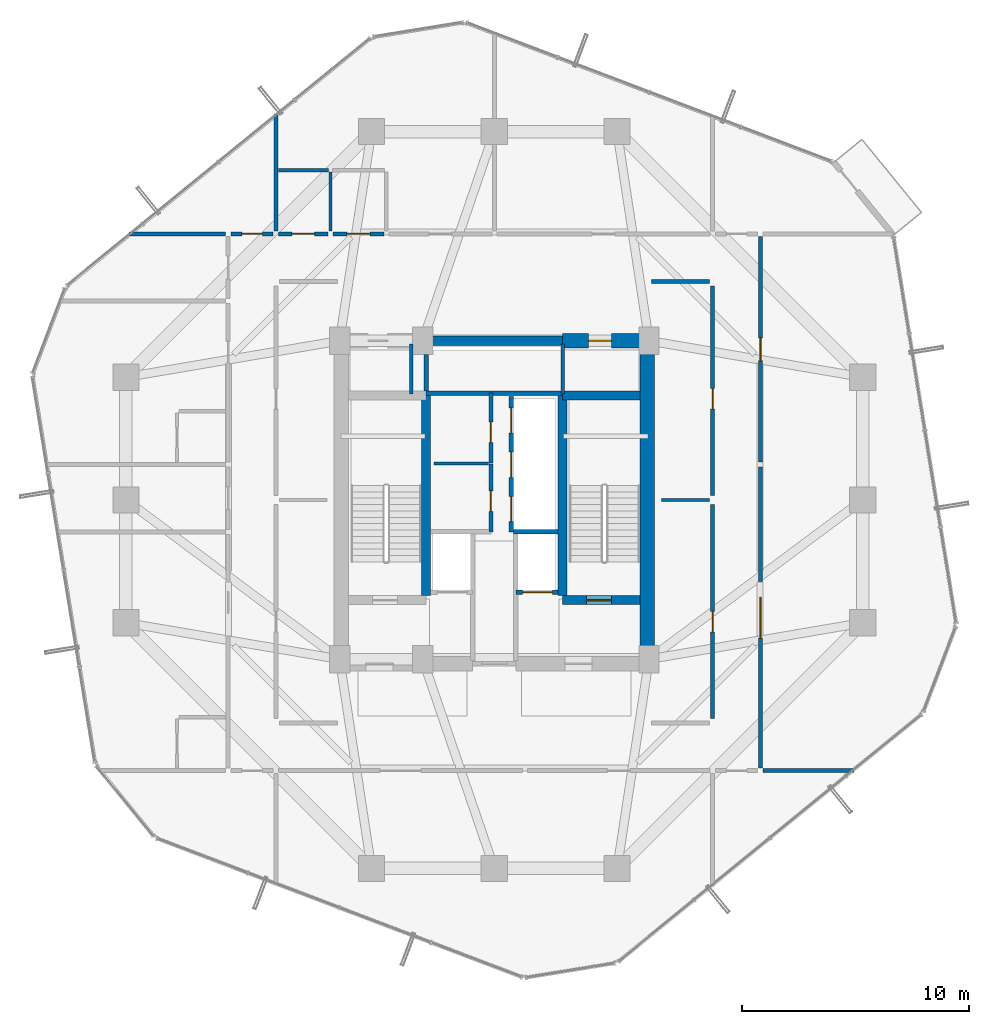
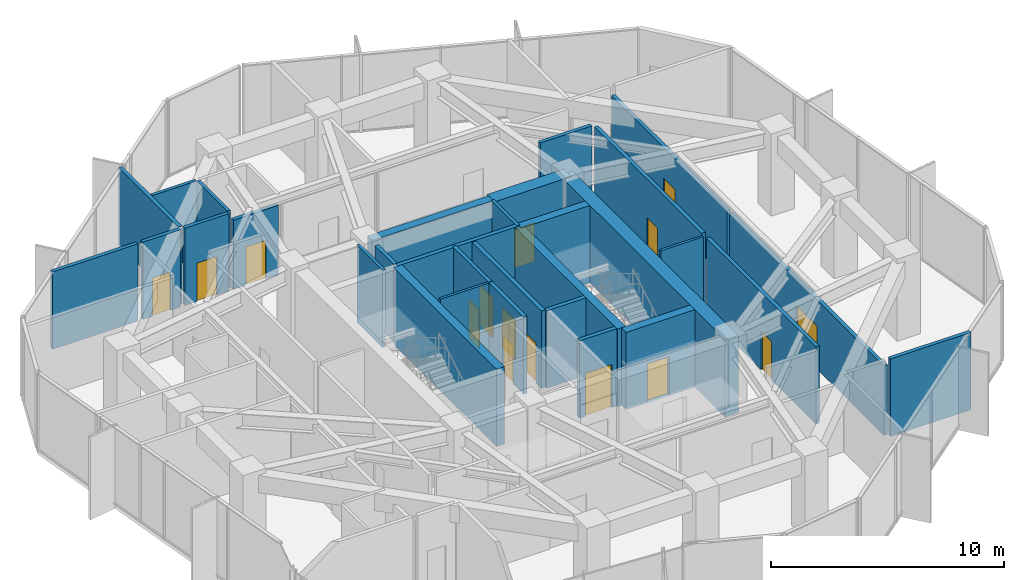
# One storey, part 23 of 26: 31 walls, 15 doors, 15 openings.
"""IFC4 building model written with IfcOpenShell, lengths in metres."""

from ifc_helpers import new_model, si_unit, direction, frame, frame_2d, origin, place, context, subcontext, project, spatial, rectangle, extrude, source, transform, mapped, material, layer, layer_set, type_object, element, fill, save


model = new_model("IFC4")

# Units and contexts
model_context = context("Model", 3, precision=1e-05, world=origin(), true_north=direction((0.0, 1.0)))
body_context = subcontext(model_context, "Body", "Model", "MODEL_VIEW")
ifc_project = project(units=[si_unit("LENGTHUNIT", "METRE"), si_unit("AREAUNIT", "SQUARE_METRE"), si_unit("VOLUMEUNIT", "CUBIC_METRE"), si_unit("PLANEANGLEUNIT", "RADIAN"), si_unit("MASSUNIT", "GRAM", prefix="KILO")], contexts=[model_context])

# Site, building, storey
site_placement = place(None, origin())
site = spatial("IfcSite", under=ifc_project, at=site_placement, CompositionType="ELEMENT")
building_placement = place(site_placement, origin())
building = spatial("IfcBuilding", under=site, at=building_placement, Name="Veraguas Prism Commons", CompositionType="ELEMENT")
storey_placement = place(building_placement, frame((0.0, 0.0, 158.75)))
storey = spatial("IfcBuildingStorey", under=building, at=storey_placement, Name="L45", CompositionType="ELEMENT", Elevation=158.75)

# Wall
ifc_material_1 = material(Name="Concrete C50/60", Category="concrete")
ifc_layer_1 = layer(ifc_material_1, 0.39990234375, Name="Clinic and Mid Core Shear Wall RC 400", Category="concrete")
ifc_layer_set_1 = layer_set([ifc_layer_1], Name="Concrete C50/60")
wall_type_1 = type_object("IfcWallType", Name="Clinic and Mid Core Shear Wall RC 400", PredefinedType="SHEAR", material=ifc_layer_set_1)
wall_1_placement = place(storey_placement, frame((21.0, 31.0, 0.0), z_axis=(0.0, 0.0, 1.0), x_axis=(1.0, 0.0, 0.0)))
element("IfcWall", 1, at=wall_1_placement, inside=storey, type_object=wall_type_1, Name="High-Rise Lift Bank Front Shear Wall L45", PredefinedType="SHEAR", context=body_context, shape_type="SweptSolid", body=[
    extrude(rectangle(XDim=6.0, YDim=0.39990234375, at=frame_2d((3.0, 0.0))), origin(), (0.0, 0.0, 1.0), 4.050048828125),
])

# Wall, opening, door
wall_2_placement = place(storey_placement, frame((27.0, 19.60009765625, 0.0), z_axis=(0.0, 0.0, 1.0), x_axis=(1.0, 0.0, 0.0)))
wall_2 = element("IfcWall", 2, at=wall_2_placement, inside=storey, type_object=wall_type_1, Name="Stair ST-02 South Shear Wall L45", PredefinedType="SHEAR", context=body_context, shape_type="SweptSolid", body=[
    extrude(rectangle(XDim=3.39990234375, YDim=0.39990234375, at=frame_2d((1.699951171875, 0.0))), origin(), (0.0, 0.0, 1.0), 4.050048828125),
])
opening_1_placement = place(wall_2_placement, frame((1.050048828125, 0.0, 0.0)))
opening_1 = element("IfcOpeningElement", 3, at=opening_1_placement, cuts=wall_2, Name="Opening DR-05", PredefinedType="OPENING", context=body_context, shape_type="SweptSolid", body=[
    extrude(rectangle(XDim=1.10009765625, YDim=2.030029296875, at=frame_2d((0.550048828125, 1.01513671875))), frame((0.0, 0.2099609375, 0.0), z_axis=(0.0, -1.0, 0.0), x_axis=(1.0, 0.0, 0.0)), (0.0, 0.0, 1.0), 0.419921875),
])
ifc_material_2 = material(Name="Steel fire-rated door assembly", Category="steel")
door_type_1 = type_object("IfcDoorType", Name="Protected Stair and Refuge Fire Door 1100x2030", OperationType="NOTDEFINED", PredefinedType="DOOR", material=ifc_material_2)
shared_shape_1 = source(origin(), body_context, "Body", "SweptSolid", [
    extrude(rectangle(XDim=1.10009765625, YDim=2.030029296875, at=frame_2d((0.550048828125, 1.01513671875))), frame((0.0, 0.02490234375, 0.0), z_axis=(0.0, -1.0, 0.0), x_axis=(1.0, 0.0, 0.0)), (0.0, 0.0, 1.0), 0.050048828125),
])
door_1_placement = place(opening_1_placement, origin())
door_1 = element("IfcDoor", 4, at=door_1_placement, inside=storey, type_object=door_type_1, Name="Stair ST-02 Enclosure Door L45", OperationType="SINGLE_SWING_LEFT", OverallHeight=2.030029296875, OverallWidth=1.10009765625, PredefinedType="DOOR", context=body_context, shape_type="MappedRepresentation", body=[
    mapped(shared_shape_1, transform((0.0, 0.0, 0.0), scale=1.0)),
])
fill(opening_1, door_1)

# Walls
for number, where, z_axis, x_axis, name in (
    (5, (21.0, 19.800048828125, 0.0), (0.0, 0.0, 1.0), (0.0, 1.0, 0.0), "Stair ST-01 Inner Shear Wall L45"),
    (6, (27.0, 19.800048828125, 0.0), (0.0, 0.0, 1.0), (0.0, 1.0, 0.0), "Stair ST-02 Inner Shear Wall L45"),
):
    element("IfcWall", number, at=place(storey_placement, frame(where, z_axis=z_axis, x_axis=x_axis)), inside=storey, type_object=wall_type_1, Name=name, PredefinedType="SHEAR", context=body_context, shape_type="SweptSolid", body=[
        extrude(rectangle(XDim=8.800048828125, YDim=0.39990234375, at=frame_2d((4.39990234375, 0.0))), origin(), (0.0, 0.0, 1.0), 4.050048828125),
    ])
wall_3_placement = place(storey_placement, frame((27.0, 28.60009765625, 0.0), z_axis=(0.0, 0.0, 1.0), x_axis=(1.0, 0.0, 0.0)))
element("IfcWall", 7, at=wall_3_placement, inside=storey, type_object=wall_type_1, Name="Stair ST-02 North Shear Wall L45", PredefinedType="SHEAR", context=body_context, shape_type="SweptSolid", body=[
    extrude(rectangle(XDim=3.39990234375, YDim=0.39990234375, at=frame_2d((1.699951171875, 0.0))), origin(), (0.0, 0.0, 1.0), 4.050048828125),
])
ifc_material_3 = material(Name="Concrete C55/67", Category="concrete")
ifc_layer_2 = layer(ifc_material_3, 0.64990234375, Name="Core Outer Shear Wall Mid RC 650", Category="concrete")
ifc_layer_set_2 = layer_set([ifc_layer_2], Name="Concrete C55/67")
wall_type_2 = type_object("IfcWallType", Name="Core Outer Shear Wall Mid RC 650", PredefinedType="SHEAR", material=ifc_layer_set_2)
wall_4_placement = place(storey_placement, frame((30.72509765625, 16.800048828125, 0.0), z_axis=(0.0, 0.0, 1.0), x_axis=(0.0, 1.0, 0.0)))
element("IfcWall", 8, at=wall_4_placement, inside=storey, type_object=wall_type_2, Name="Central Core East Shear Wall L45", PredefinedType="SHEAR", context=body_context, shape_type="SweptSolid", body=[
    extrude(rectangle(XDim=14.199951171875, YDim=0.64990234375, at=frame_2d((7.10009765625, 0.0))), origin(), (0.0, 0.0, 1.0), 4.050048828125),
])

# Wall, opening, door
wall_5_placement = place(storey_placement, frame((27.0, 31.0, 0.0), z_axis=(0.0, 0.0, 1.0), x_axis=(1.0, 0.0, 0.0)))
wall_5 = element("IfcWall", 9, at=wall_5_placement, inside=storey, type_object=wall_type_2, Name="Central Core North-East Shear Wall L45", PredefinedType="SHEAR", context=body_context, shape_type="SweptSolid", body=[
    extrude(rectangle(XDim=3.800048828125, YDim=0.64990234375, at=frame_2d((1.89990234375, 0.0))), origin(), (0.0, 0.0, 1.0), 4.050048828125),
])
opening_2_placement = place(wall_5_placement, frame((1.14990234375, 0.0, 0.0)))
opening_2 = element("IfcOpeningElement", 10, at=opening_2_placement, cuts=wall_5, Name="Opening DR-13", PredefinedType="OPENING", context=body_context, shape_type="SweptSolid", body=[
    extrude(rectangle(XDim=1.0, YDim=2.010009765625, at=frame_2d((0.5, 1.0048828125))), frame((0.0, 0.3349609375, 0.0), z_axis=(0.0, -1.0, 0.0), x_axis=(1.0, 0.0, 0.0)), (0.0, 0.0, 1.0), 0.669921875),
])
door_type_2 = type_object("IfcDoorType", Name="Core Accessible WC and Clinic Fire Door 1000x2010", OperationType="NOTDEFINED", PredefinedType="DOOR", material=ifc_material_2)
shared_shape_2 = source(origin(), body_context, "Body", "SweptSolid", [
    extrude(rectangle(XDim=1.0, YDim=2.010009765625, at=frame_2d((0.5, 1.0048828125))), frame((0.0, 0.02490234375, 0.0), z_axis=(0.0, -1.0, 0.0), x_axis=(1.0, 0.0, 0.0)), (0.0, 0.0, 1.0), 0.050048828125),
])
door_2_placement = place(opening_2_placement, origin())
door_2 = element("IfcDoor", 11, at=door_2_placement, inside=storey, type_object=door_type_2, Name="Core NE Pantry Door L45", OperationType="SINGLE_SWING_LEFT", OverallHeight=2.010009765625, OverallWidth=1.0, PredefinedType="DOOR", context=body_context, shape_type="MappedRepresentation", body=[
    mapped(shared_shape_2, transform((0.0, 0.0, 0.0), scale=1.0)),
])
fill(opening_2, door_2)

ifc_material_4 = material(Name="Autoclaved aerated masonry block 10 MPa", Category="masonry")
ifc_layer_3 = layer(ifc_material_4, 0.179931640625, Name="Corridor and Inter-Tenancy Partition 180", Category="masonry")
ifc_layer_set_3 = layer_set([ifc_layer_3], Name="Autoclaved aerated masonry block 10 MPa")
wall_type_3 = type_object("IfcWallType", Name="Corridor and Inter-Tenancy Partition 180", PredefinedType="PARTITIONING", material=ifc_layer_set_3)
wall_6_placement = place(storey_placement, frame((23.85009765625, 22.60009765625, 0.0), z_axis=(0.0, 0.0, 1.0), x_axis=(0.0, 1.0, 0.0)))
wall_6 = element("IfcWall", 12, at=wall_6_placement, inside=storey, type_object=wall_type_3, Name="Co-op Pantry Partition L45", PredefinedType="PARTITIONING", context=body_context, shape_type="SweptSolid", body=[
    extrude(rectangle(XDim=2.97998046875, YDim=0.179931640625, at=frame_2d((1.489990234375, 0.0))), origin(), (0.0, 0.0, 1.0), 4.050048828125),
])
opening_3_placement = place(wall_6_placement, frame((0.89990234375, 0.0, 0.0)))
opening_3 = element("IfcOpeningElement", 13, at=opening_3_placement, cuts=wall_6, Name="Opening DR-14", PredefinedType="OPENING", context=body_context, shape_type="SweptSolid", body=[
    extrude(rectangle(XDim=0.89990234375, YDim=2.010009765625, at=frame_2d((0.449951171875, 1.0048828125))), frame((0.0, 0.099853515625, 0.0), z_axis=(0.0, -1.0, 0.0), x_axis=(1.0, 0.0, 0.0)), (0.0, 0.0, 1.0), 0.199951171875),
])
door_type_3 = type_object("IfcDoorType", Name="Core Service Room Fire Door 900x2010", OperationType="NOTDEFINED", PredefinedType="DOOR", material=ifc_material_2)
shared_shape_3 = source(origin(), body_context, "Body", "SweptSolid", [
    extrude(rectangle(XDim=0.89990234375, YDim=2.010009765625, at=frame_2d((0.449951171875, 1.0048828125))), frame((0.0, 0.02490234375, 0.0), z_axis=(0.0, -1.0, 0.0), x_axis=(1.0, 0.0, 0.0)), (0.0, 0.0, 1.0), 0.050048828125),
])
door_3_placement = place(opening_3_placement, origin())
door_3 = element("IfcDoor", 14, at=door_3_placement, inside=storey, type_object=door_type_3, Name="Co-op Pantry Door L45", OperationType="SINGLE_SWING_RIGHT", OverallHeight=2.010009765625, OverallWidth=0.89990234375, PredefinedType="DOOR", context=body_context, shape_type="MappedRepresentation", body=[
    mapped(shared_shape_3, transform((0.0, 0.0, 0.0), scale=1.0)),
])
fill(opening_3, door_3)

wall_7_placement = place(storey_placement, frame((23.85009765625, 25.6201171875, 0.0), z_axis=(0.0, 0.0, 1.0), x_axis=(0.0, 1.0, 0.0)))
wall_7 = element("IfcWall", 15, at=wall_7_placement, inside=storey, type_object=wall_type_3, Name="Bookshop Alcove Partition L45", PredefinedType="PARTITIONING", context=body_context, shape_type="SweptSolid", body=[
    extrude(rectangle(XDim=3.079833984375, YDim=0.179931640625, at=frame_2d((1.5400390625, 0.0))), origin(), (0.0, 0.0, 1.0), 4.050048828125),
])
opening_4_placement = place(wall_7_placement, frame((0.89990234375, 0.0, 0.0)))
opening_4 = element("IfcOpeningElement", 16, at=opening_4_placement, cuts=wall_7, Name="Opening DR-14", PredefinedType="OPENING", context=body_context, shape_type="SweptSolid", body=[
    extrude(rectangle(XDim=0.89990234375, YDim=2.010009765625, at=frame_2d((0.449951171875, 1.0048828125))), frame((0.0, 0.099853515625, 0.0), z_axis=(0.0, -1.0, 0.0), x_axis=(1.0, 0.0, 0.0)), (0.0, 0.0, 1.0), 0.199951171875),
])
door_4_placement = place(opening_4_placement, origin())
door_4 = element("IfcDoor", 17, at=door_4_placement, inside=storey, type_object=door_type_3, Name="Bookshop Alcove Door L45", OperationType="SINGLE_SWING_LEFT", OverallHeight=2.010009765625, OverallWidth=0.89990234375, PredefinedType="DOOR", context=body_context, shape_type="MappedRepresentation", body=[
    mapped(shared_shape_3, transform((0.0, 0.0, 0.0), scale=1.0)),
])
fill(opening_4, door_4)

wall_8_placement = place(storey_placement, frame((33.60009765625, 14.39990234375, 0.0), z_axis=(0.0, 0.0, 1.0), x_axis=(0.0, 1.0, 0.0)))
wall_8 = element("IfcWall", 18, at=wall_8_placement, inside=storey, type_object=wall_type_3, Name="WL-L45-IRE1", PredefinedType="PARTITIONING", context=body_context, shape_type="SweptSolid", body=[
    extrude(rectangle(XDim=9.400146484375, YDim=0.179931640625, at=frame_2d((4.7001953125, 0.0))), origin(), (0.0, 0.0, 1.0), 4.050048828125),
])
opening_5_placement = place(wall_8_placement, frame((3.800048828125, 0.0, 0.0)))
opening_5 = element("IfcOpeningElement", 19, at=opening_5_placement, cuts=wall_8, Name="Opening DR-14", PredefinedType="OPENING", context=body_context, shape_type="SweptSolid", body=[
    extrude(rectangle(XDim=0.89990234375, YDim=2.010009765625, at=frame_2d((0.449951171875, 1.0048828125))), frame((0.0, 0.099853515625, 0.0), z_axis=(0.0, -1.0, 0.0), x_axis=(1.0, 0.0, 0.0)), (0.0, 0.0, 1.0), 0.199951171875),
])
door_5_placement = place(opening_5_placement, origin())
door_5 = element("IfcDoor", 20, at=door_5_placement, inside=storey, type_object=door_type_3, Name="Shared Laundry Annex Door L45", OperationType="SINGLE_SWING_RIGHT", OverallHeight=2.010009765625, OverallWidth=0.89990234375, PredefinedType="DOOR", context=body_context, shape_type="MappedRepresentation", body=[
    mapped(shared_shape_3, transform((0.0, 0.0, 0.0), scale=1.0)),
])
fill(opening_5, door_5)

wall_9_placement = place(storey_placement, frame((33.60009765625, 24.199951171875, 0.0), z_axis=(0.0, 0.0, 1.0), x_axis=(0.0, 1.0, 0.0)))
wall_9 = element("IfcWall", 21, at=wall_9_placement, inside=storey, type_object=wall_type_3, Name="WL-L45-IRE2", PredefinedType="PARTITIONING", context=body_context, shape_type="SweptSolid", body=[
    extrude(rectangle(XDim=9.199951171875, YDim=0.179931640625, at=frame_2d((4.60009765625, 0.0))), origin(), (0.0, 0.0, 1.0), 4.050048828125),
])
opening_6_placement = place(wall_9_placement, frame((3.800048828125, 0.0, 0.0)))
opening_6 = element("IfcOpeningElement", 22, at=opening_6_placement, cuts=wall_9, Name="Opening DR-14", PredefinedType="OPENING", context=body_context, shape_type="SweptSolid", body=[
    extrude(rectangle(XDim=0.89990234375, YDim=2.010009765625, at=frame_2d((0.449951171875, 1.0048828125))), frame((0.0, 0.099853515625, 0.0), z_axis=(0.0, -1.0, 0.0), x_axis=(1.0, 0.0, 0.0)), (0.0, 0.0, 1.0), 0.199951171875),
])
door_6_placement = place(opening_6_placement, origin())
door_6 = element("IfcDoor", 23, at=door_6_placement, inside=storey, type_object=door_type_3, Name="Community Reading Alcove Door L45", OperationType="SINGLE_SWING_LEFT", OverallHeight=2.010009765625, OverallWidth=0.89990234375, PredefinedType="DOOR", context=body_context, shape_type="MappedRepresentation", body=[
    mapped(shared_shape_3, transform((0.0, 0.0, 0.0), scale=1.0)),
])
fill(opening_6, door_6)

# Walls
wall_10_placement = place(storey_placement, frame((30.89990234375, 33.60009765625, 0.0), z_axis=(0.0, 0.0, 1.0), x_axis=(1.0, 0.0, 0.0)))
element("IfcWall", 24, at=wall_10_placement, inside=storey, type_object=wall_type_3, Name="WL-L45-IREN", PredefinedType="PARTITIONING", context=body_context, shape_type="SweptSolid", body=[
    extrude(rectangle(XDim=2.550048828125, YDim=0.179931640625, at=frame_2d((1.27490234375, 0.0))), origin(), (0.0, 0.0, 1.0), 4.050048828125),
])
wall_11_placement = place(storey_placement, frame((14.39990234375, 35.820068359375, 0.0), z_axis=(0.0, 0.0, 1.0), x_axis=(0.0, 1.0, 0.0)))
element("IfcWall", 25, at=wall_11_placement, inside=storey, type_object=wall_type_3, Name="WL-L45-PT005", PredefinedType="PARTITIONING", context=body_context, shape_type="SweptSolid", body=[
    extrude(rectangle(XDim=5.142333984375, YDim=0.179931640625, at=frame_2d((2.5712890625, 0.0))), origin(), (0.0, 0.0, 1.0), 4.050048828125),
])

# Wall, opening, door
wall_12_placement = place(storey_placement, frame((14.510009765625, 35.699951171875, 0.0), z_axis=(0.0, 0.0, 1.0), x_axis=(1.0, 0.0, 0.0)))
wall_12 = element("IfcWall", 26, at=wall_12_placement, inside=storey, type_object=wall_type_3, Name="WL-L45-PT007", PredefinedType="PARTITIONING", context=body_context, shape_type="SweptSolid", body=[
    extrude(rectangle(XDim=2.179931640625, YDim=0.179931640625, at=frame_2d((1.08984375, 0.0))), origin(), (0.0, 0.0, 1.0), 4.050048828125),
])
opening_7_placement = place(wall_12_placement, frame((0.590087890625, 0.0, 0.0)))
opening_7 = element("IfcOpeningElement", 27, at=opening_7_placement, cuts=wall_12, Name="Opening DR-13", PredefinedType="OPENING", context=body_context, shape_type="SweptSolid", body=[
    extrude(rectangle(XDim=1.0, YDim=2.010009765625, at=frame_2d((0.5, 1.0048828125))), frame((0.0, 0.099853515625, 0.0), z_axis=(0.0, -1.0, 0.0), x_axis=(1.0, 0.0, 0.0)), (0.0, 0.0, 1.0), 0.199951171875),
])
door_7_placement = place(opening_7_placement, origin())
door_7 = element("IfcDoor", 28, at=door_7_placement, inside=storey, type_object=door_type_2, Name="Public WC L45 Door", OperationType="SINGLE_SWING_RIGHT", OverallHeight=2.010009765625, OverallWidth=1.0, PredefinedType="DOOR", context=body_context, shape_type="MappedRepresentation", body=[
    mapped(shared_shape_2, transform((0.0, 0.0, 0.0), scale=1.0)),
])
fill(opening_7, door_7)

wall_13_placement = place(storey_placement, frame((16.909912109375, 35.699951171875, 0.0), z_axis=(0.0, 0.0, 1.0), x_axis=(1.0, 0.0, 0.0)))
wall_13 = element("IfcWall", 29, at=wall_13_placement, inside=storey, type_object=wall_type_3, Name="WL-L45-PT008", PredefinedType="PARTITIONING", context=body_context, shape_type="SweptSolid", body=[
    extrude(rectangle(XDim=2.22998046875, YDim=0.179931640625, at=frame_2d((1.114990234375, 0.0))), origin(), (0.0, 0.0, 1.0), 3.6298828125),
])
opening_8_placement = place(wall_13_placement, frame((0.614990234375, 0.0, 0.0)))
opening_8 = element("IfcOpeningElement", 30, at=opening_8_placement, cuts=wall_13, Name="Opening DR-13", PredefinedType="OPENING", context=body_context, shape_type="SweptSolid", body=[
    extrude(rectangle(XDim=1.0, YDim=2.010009765625, at=frame_2d((0.5, 1.0048828125))), frame((0.0, 0.099853515625, 0.0), z_axis=(0.0, -1.0, 0.0), x_axis=(1.0, 0.0, 0.0)), (0.0, 0.0, 1.0), 0.199951171875),
])
door_8_placement = place(opening_8_placement, origin())
door_8 = element("IfcDoor", 31, at=door_8_placement, inside=storey, type_object=door_type_2, Name="Accessible WC L45 Door", OperationType="SINGLE_SWING_LEFT", OverallHeight=2.010009765625, OverallWidth=1.0, PredefinedType="DOOR", context=body_context, shape_type="MappedRepresentation", body=[
    mapped(shared_shape_2, transform((0.0, 0.0, 0.0), scale=1.0)),
])
fill(opening_8, door_8)

# Walls
wall_14_placement = place(storey_placement, frame((12.179931640625, 35.699951171875, 0.0), z_axis=(0.0, 0.0, 1.0), x_axis=(-1.0, 0.0, 0.0)))
element("IfcWall", 32, at=wall_14_placement, inside=storey, type_object=wall_type_3, Name="WL-L45-PT017", PredefinedType="PARTITIONING", context=body_context, shape_type="SweptSolid", body=[
    extrude(rectangle(XDim=4.232421875, YDim=0.179931640625, at=frame_2d((2.1162109375, 0.0))), origin(), (0.0, 0.0, 1.0), 4.050048828125),
])
wall_15_placement = place(storey_placement, frame((35.820068359375, 12.10009765625, 0.0), z_axis=(0.0, 0.0, 1.0), x_axis=(1.0, 0.0, 0.0)))
element("IfcWall", 33, at=wall_15_placement, inside=storey, type_object=wall_type_3, Name="WL-L45-PT029", PredefinedType="PARTITIONING", context=body_context, shape_type="SweptSolid", body=[
    extrude(rectangle(XDim=3.987060546875, YDim=0.179931640625, at=frame_2d((1.99365234375, 0.0))), origin(), (0.0, 0.0, 1.0), 4.050048828125),
])

# Wall, opening, door
wall_16_placement = place(storey_placement, frame((35.699951171875, 12.2099609375, 0.0), z_axis=(0.0, 0.0, 1.0), x_axis=(0.0, 1.0, 0.0)))
wall_16 = element("IfcWall", 34, at=wall_16_placement, inside=storey, type_object=wall_type_3, Name="WL-L45-PT031", PredefinedType="PARTITIONING", context=body_context, shape_type="SweptSolid", body=[
    extrude(rectangle(XDim=13.23193359375, YDim=0.179931640625, at=frame_2d((6.615966796875, 0.0))), origin(), (0.0, 0.0, 1.0), 3.6298828125),
])
opening_9_placement = place(wall_16_placement, frame((5.716064453125, 0.0, 0.0)))
opening_9 = element("IfcOpeningElement", 35, at=opening_9_placement, cuts=wall_16, Name="Opening DR-07", PredefinedType="OPENING", context=body_context, shape_type="SweptSolid", body=[
    extrude(rectangle(XDim=1.800048828125, YDim=2.25, at=frame_2d((0.89990234375, 1.125))), frame((0.0, 0.099853515625, 0.0), z_axis=(0.0, -1.0, 0.0), x_axis=(1.0, 0.0, 0.0)), (0.0, 0.0, 1.0), 0.199951171875),
])
door_type_4 = type_object("IfcDoorType", Name="Corridor Double Fire Door 1800x2250", OperationType="NOTDEFINED", PredefinedType="DOOR", material=ifc_material_2)
shared_shape_4 = source(origin(), body_context, "Body", "SweptSolid", [
    extrude(rectangle(XDim=1.800048828125, YDim=2.25, at=frame_2d((0.89990234375, 1.125))), frame((0.0, 0.02490234375, 0.0), z_axis=(0.0, -1.0, 0.0), x_axis=(1.0, 0.0, 0.0)), (0.0, 0.0, 1.0), 0.050048828125),
])
door_9_placement = place(opening_9_placement, origin())
door_9 = element("IfcDoor", 36, at=door_9_placement, inside=storey, type_object=door_type_4, Name="Community Multipurpose Assembly Hall Door 1", OperationType="SINGLE_SWING_RIGHT", OverallHeight=2.25, OverallWidth=1.800048828125, PredefinedType="DOOR", context=body_context, shape_type="MappedRepresentation", body=[
    mapped(shared_shape_4, transform((0.0, 0.0, 0.0), scale=1.0)),
])
fill(opening_9, door_9)

wall_17_placement = place(storey_placement, frame((35.699951171875, 25.662109375, 0.0), z_axis=(0.0, 0.0, 1.0), x_axis=(0.0, 1.0, 0.0)))
wall_17 = element("IfcWall", 37, at=wall_17_placement, inside=storey, type_object=wall_type_3, Name="WL-L45-PT032", PredefinedType="PARTITIONING", context=body_context, shape_type="SweptSolid", body=[
    extrude(rectangle(XDim=9.927978515625, YDim=0.179931640625, at=frame_2d((4.9638671875, 0.0))), origin(), (0.0, 0.0, 1.0), 3.6298828125),
])
opening_10_placement = place(wall_17_placement, frame((4.464111328125, 0.0, 0.0)))
opening_10 = element("IfcOpeningElement", 38, at=opening_10_placement, cuts=wall_17, Name="Opening DR-13", PredefinedType="OPENING", context=body_context, shape_type="SweptSolid", body=[
    extrude(rectangle(XDim=1.0, YDim=2.010009765625, at=frame_2d((0.5, 1.0048828125))), frame((0.0, 0.099853515625, 0.0), z_axis=(0.0, -1.0, 0.0), x_axis=(1.0, 0.0, 0.0)), (0.0, 0.0, 1.0), 0.199951171875),
])
door_10_placement = place(opening_10_placement, origin())
door_10 = element("IfcDoor", 39, at=door_10_placement, inside=storey, type_object=door_type_2, Name="Community Multipurpose Assembly Hall Door 2", OperationType="SINGLE_SWING_LEFT", OverallHeight=2.010009765625, OverallWidth=1.0, PredefinedType="DOOR", context=body_context, shape_type="MappedRepresentation", body=[
    mapped(shared_shape_2, transform((0.0, 0.0, 0.0), scale=1.0)),
])
fill(opening_10, door_10)

wall_18_placement = place(storey_placement, frame((12.419921875, 35.699951171875, 0.0), z_axis=(0.0, 0.0, 1.0), x_axis=(1.0, 0.0, 0.0)))
wall_18 = element("IfcWall", 40, at=wall_18_placement, inside=storey, type_object=wall_type_3, Name="WL-L45-PT035", PredefinedType="PARTITIONING", context=body_context, shape_type="SweptSolid", body=[
    extrude(rectangle(XDim=1.860107421875, YDim=0.179931640625, at=frame_2d((0.93017578125, 0.0))), origin(), (0.0, 0.0, 1.0), 4.050048828125),
])
opening_11_placement = place(wall_18_placement, frame((0.47998046875, 0.0, 0.0)))
opening_11 = element("IfcOpeningElement", 41, at=opening_11_placement, cuts=wall_18, Name="Opening DR-14", PredefinedType="OPENING", context=body_context, shape_type="SweptSolid", body=[
    extrude(rectangle(XDim=0.89990234375, YDim=2.010009765625, at=frame_2d((0.449951171875, 1.0048828125))), frame((0.0, 0.099853515625, 0.0), z_axis=(0.0, -1.0, 0.0), x_axis=(1.0, 0.0, 0.0)), (0.0, 0.0, 1.0), 0.199951171875),
])
door_11_placement = place(opening_11_placement, origin())
door_11 = element("IfcDoor", 42, at=door_11_placement, inside=storey, type_object=door_type_3, Name="Community Co-op Kitchen NW Door", OperationType="SINGLE_SWING_RIGHT", OverallHeight=2.010009765625, OverallWidth=0.89990234375, PredefinedType="DOOR", context=body_context, shape_type="MappedRepresentation", body=[
    mapped(shared_shape_3, transform((0.0, 0.0, 0.0), scale=1.0)),
])
fill(opening_11, door_11)

# Walls
ifc_material_5 = material(Name="Lightweight acoustic gypsum board")
ifc_layer_4 = layer(ifc_material_5, 0.125, Name="Internal Apartment Room Partition 125")
ifc_layer_set_4 = layer_set([ifc_layer_4], Name="Lightweight acoustic gypsum board")
wall_type_4 = type_object("IfcWallType", Name="Internal Apartment Room Partition 125", PredefinedType="PARTITIONING", material=ifc_layer_set_4)
wall_19_placement = place(storey_placement, frame((21.35009765625, 25.60009765625, 0.0), z_axis=(0.0, 0.0, 1.0), x_axis=(1.0, 0.0, 0.0)))
element("IfcWall", 43, at=wall_19_placement, inside=storey, type_object=wall_type_4, Name="WL-L45-FRWLM", PredefinedType="PARTITIONING", context=body_context, shape_type="SweptSolid", body=[
    extrude(rectangle(XDim=2.39990234375, YDim=0.125, at=frame_2d((1.199951171875, 0.0))), origin(), (0.0, 0.0, 1.0), 4.050048828125),
])
wall_20_placement = place(storey_placement, frame((31.35009765625, 24.0, 0.0), z_axis=(0.0, 0.0, 1.0), x_axis=(1.0, 0.0, 0.0)))
element("IfcWall", 44, at=wall_20_placement, inside=storey, type_object=wall_type_4, Name="WL-L45-IREM", PredefinedType="PARTITIONING", context=body_context, shape_type="SweptSolid", body=[
    extrude(rectangle(XDim=2.099853515625, YDim=0.125, at=frame_2d((1.0498046875, 0.0))), origin(), (0.0, 0.0, 1.0), 4.050048828125),
])

# Wall, opening, door
ifc_layer_5 = layer(ifc_material_4, 0.199951171875, Name="Rated Shaft and Lobby Block Wall 200", Category="masonry")
ifc_layer_set_5 = layer_set([ifc_layer_5], Name="Autoclaved aerated masonry block 10 MPa")
wall_type_5 = type_object("IfcWallType", Name="Rated Shaft and Lobby Block Wall 200", PredefinedType="SOLIDWALL", material=ifc_layer_set_5)
wall_21_placement = place(storey_placement, frame((24.949951171875, 19.949951171875, 0.0), z_axis=(0.0, 0.0, 1.0), x_axis=(1.0, 0.0, 0.0)))
wall_21 = element("IfcWall", 45, at=wall_21_placement, inside=storey, type_object=wall_type_5, Name="Firefighting Lift FFL-2 Front Wall L45", PredefinedType="SOLIDWALL", context=body_context, shape_type="SweptSolid", body=[
    extrude(rectangle(XDim=1.85009765625, YDim=0.199951171875, at=frame_2d((0.925048828125, 0.0))), origin(), (0.0, 0.0, 1.0), 4.050048828125),
])
opening_12_placement = place(wall_21_placement, frame((0.300048828125, 0.0, 0.0)))
opening_12 = element("IfcOpeningElement", 46, at=opening_12_placement, cuts=wall_21, Name="Opening LD-02", PredefinedType="OPENING", context=body_context, shape_type="SweptSolid", body=[
    extrude(rectangle(XDim=1.300048828125, YDim=2.25, at=frame_2d((0.64990234375, 1.125))), frame((0.0, 0.10986328125, 0.0), z_axis=(0.0, -1.0, 0.0), x_axis=(1.0, 0.0, 0.0)), (0.0, 0.0, 1.0), 0.219970703125),
])
ifc_material_6 = material(Name="Stainless steel AISI 316", Category="steel")
door_type_5 = type_object("IfcDoorType", Name="Firefighting Lift Sliding Landing Door 1300x2250", OperationType="NOTDEFINED", PredefinedType="DOOR", material=ifc_material_6)
shared_shape_5 = source(origin(), body_context, "Body", "SweptSolid", [
    extrude(rectangle(XDim=1.300048828125, YDim=2.25, at=frame_2d((0.64990234375, 1.125))), frame((0.0, 0.02490234375, 0.0), z_axis=(0.0, -1.0, 0.0), x_axis=(1.0, 0.0, 0.0)), (0.0, 0.0, 1.0), 0.050048828125),
])
door_12_placement = place(opening_12_placement, origin())
door_12 = element("IfcDoor", 47, at=door_12_placement, inside=storey, type_object=door_type_5, Name="Firefighting Lift FFL-2 Front Wall L45", OperationType="SLIDING_TO_LEFT", OverallHeight=2.25, OverallWidth=1.300048828125, PredefinedType="DOOR", context=body_context, shape_type="MappedRepresentation", body=[
    mapped(shared_shape_5, transform((0.0, 0.0, 0.0), scale=1.0)),
])
fill(opening_12, door_12)

# Walls
wall_22_placement = place(storey_placement, frame((24.85009765625, 22.60009765625, 0.0), z_axis=(0.0, 0.0, 1.0), x_axis=(1.0, 0.0, 0.0)))
element("IfcWall", 48, at=wall_22_placement, inside=storey, type_object=wall_type_5, Name="Firefighting Lift FFL-2 Rear Wall L45", PredefinedType="SOLIDWALL", context=body_context, shape_type="SweptSolid", body=[
    extrude(rectangle(XDim=1.949951171875, YDim=0.199951171875, at=frame_2d((0.97509765625, 0.0))), origin(), (0.0, 0.0, 1.0), 4.050048828125),
])
wall_23_placement = place(storey_placement, frame((21.0, 28.699951171875, 0.0), z_axis=(0.0, 0.0, 1.0), x_axis=(1.0, 0.0, 0.0)))
element("IfcWall", 49, at=wall_23_placement, inside=storey, type_object=wall_type_5, Name="High-Rise Lift Bank Rear Shaft Wall L45", PredefinedType="SOLIDWALL", context=body_context, shape_type="SweptSolid", body=[
    extrude(rectangle(XDim=6.0, YDim=0.199951171875, at=frame_2d((3.0, 0.0))), origin(), (0.0, 0.0, 1.0), 4.050048828125),
])
wall_24_placement = place(storey_placement, frame((21.0, 28.800048828125, 0.0), z_axis=(0.0, 0.0, 1.0), x_axis=(0.0, 1.0, 0.0)))
element("IfcWall", 50, at=wall_24_placement, inside=storey, type_object=wall_type_5, Name="High-Rise Lift Bank West Shaft Wall L45", PredefinedType="SOLIDWALL", context=body_context, shape_type="SweptSolid", body=[
    extrude(rectangle(XDim=1.599853515625, YDim=0.199951171875, at=frame_2d((0.7998046875, 0.0))), origin(), (0.0, 0.0, 1.0), 4.050048828125),
])

# Wall, openings, doors
wall_25_placement = place(storey_placement, frame((24.75, 22.60009765625, 0.0), z_axis=(0.0, 0.0, 1.0), x_axis=(0.0, 1.0, 0.0)))
wall_25 = element("IfcWall", 51, at=wall_25_placement, inside=storey, type_object=wall_type_5, Name="Mid-Rise Lift Bank Front Wall L45", PredefinedType="SOLIDWALL", context=body_context, shape_type="SweptSolid", body=[
    extrude(rectangle(XDim=5.949951171875, YDim=0.199951171875, at=frame_2d((2.97509765625, 0.0))), origin(), (0.0, 0.0, 1.0), 4.050048828125),
])
opening_13_placement = place(wall_25_placement, frame((0.449951171875, 0.0, 0.0)))
opening_13 = element("IfcOpeningElement", 52, at=opening_13_placement, cuts=wall_25, Name="Opening LD-01", PredefinedType="OPENING", context=body_context, shape_type="SweptSolid", body=[
    extrude(rectangle(XDim=1.10009765625, YDim=2.080078125, at=frame_2d((0.550048828125, 1.0400390625))), frame((0.0, 0.10986328125, 0.0), z_axis=(0.0, -1.0, 0.0), x_axis=(1.0, 0.0, 0.0)), (0.0, 0.0, 1.0), 0.219970703125),
])
opening_14_placement = place(wall_25_placement, frame((2.39990234375, 0.0, 0.0)))
opening_14 = element("IfcOpeningElement", 53, at=opening_14_placement, cuts=wall_25, Name="Opening LD-01", PredefinedType="OPENING", context=body_context, shape_type="SweptSolid", body=[
    extrude(rectangle(XDim=1.10009765625, YDim=2.080078125, at=frame_2d((0.550048828125, 1.0400390625))), frame((0.0, 0.10986328125, 0.0), z_axis=(0.0, -1.0, 0.0), x_axis=(1.0, 0.0, 0.0)), (0.0, 0.0, 1.0), 0.219970703125),
])
opening_15_placement = place(wall_25_placement, frame((4.35009765625, 0.0, 0.0)))
opening_15 = element("IfcOpeningElement", 54, at=opening_15_placement, cuts=wall_25, Name="Opening LD-01", PredefinedType="OPENING", context=body_context, shape_type="SweptSolid", body=[
    extrude(rectangle(XDim=1.10009765625, YDim=2.080078125, at=frame_2d((0.550048828125, 1.0400390625))), frame((0.0, 0.10986328125, 0.0), z_axis=(0.0, -1.0, 0.0), x_axis=(1.0, 0.0, 0.0)), (0.0, 0.0, 1.0), 0.219970703125),
])
door_type_6 = type_object("IfcDoorType", Name="Passenger Lift Sliding Landing Door 1100x2080", OperationType="NOTDEFINED", PredefinedType="DOOR", material=ifc_material_6)
shared_shape_6 = source(origin(), body_context, "Body", "SweptSolid", [
    extrude(rectangle(XDim=1.10009765625, YDim=2.080078125, at=frame_2d((0.550048828125, 1.0400390625))), frame((0.0, 0.02490234375, 0.0), z_axis=(0.0, -1.0, 0.0), x_axis=(1.0, 0.0, 0.0)), (0.0, 0.0, 1.0), 0.050048828125),
])
door_13_placement = place(opening_13_placement, origin())
door_13 = element("IfcDoor", 55, at=door_13_placement, inside=storey, type_object=door_type_6, Name="Sliding Landing Door PL-M1 L45", OperationType="SLIDING_TO_LEFT", OverallHeight=2.080078125, OverallWidth=1.10009765625, PredefinedType="DOOR", context=body_context, shape_type="MappedRepresentation", body=[
    mapped(shared_shape_6, transform((0.0, 0.0, 0.0), scale=1.0)),
])
fill(opening_13, door_13)
door_14_placement = place(opening_14_placement, origin())
door_14 = element("IfcDoor", 56, at=door_14_placement, inside=storey, type_object=door_type_6, Name="Sliding Landing Door PL-M2 L45", OperationType="SLIDING_TO_LEFT", OverallHeight=2.080078125, OverallWidth=1.10009765625, PredefinedType="DOOR", context=body_context, shape_type="MappedRepresentation", body=[
    mapped(shared_shape_6, transform((0.0, 0.0, 0.0), scale=1.0)),
])
fill(opening_14, door_14)
door_15_placement = place(opening_15_placement, origin())
door_15 = element("IfcDoor", 57, at=door_15_placement, inside=storey, type_object=door_type_6, Name="Sliding Landing Door PL-M3 L45", OperationType="SLIDING_TO_LEFT", OverallHeight=2.080078125, OverallWidth=1.10009765625, PredefinedType="DOOR", context=body_context, shape_type="MappedRepresentation", body=[
    mapped(shared_shape_6, transform((0.0, 0.0, 0.0), scale=1.0)),
])
fill(opening_15, door_15)

# Walls
ifc_layer_6 = layer(ifc_material_5, 0.14990234375, Name="Wet Room and Clinic Acoustic Partition 150")
ifc_layer_set_6 = layer_set([ifc_layer_6], Name="Lightweight acoustic gypsum board")
wall_type_6 = type_object("IfcWallType", Name="Wet Room and Clinic Acoustic Partition 150", PredefinedType="PARTITIONING", material=ifc_layer_set_6)
for number, where, z_axis, x_axis, name in (
    (58, (20.35009765625, 28.64990234375, 0.0), (0.0, 0.0, 1.0), (0.0, 1.0, 0.0), "Core NW Service Inner Wall L45"),
    (59, (27.0, 28.64990234375, 0.0), (0.0, 0.0, 1.0), (0.0, 1.0, 0.0), "Core NE Service Inner Wall L45"),
):
    element("IfcWall", number, at=place(storey_placement, frame(where, z_axis=z_axis, x_axis=x_axis)), inside=storey, type_object=wall_type_6, Name=name, PredefinedType="PARTITIONING", context=body_context, shape_type="SweptSolid", body=[
        extrude(rectangle(XDim=2.2001953125, YDim=0.14990234375, at=frame_2d((1.10009765625, 0.0))), origin(), (0.0, 0.0, 1.0), 4.050048828125),
    ])
wall_26_placement = place(storey_placement, frame((16.800048828125, 35.820068359375, 0.0), z_axis=(0.0, 0.0, 1.0), x_axis=(0.0, 1.0, 0.0)))
element("IfcWall", 60, at=wall_26_placement, inside=storey, type_object=wall_type_6, Name="WL-L45-PT011", PredefinedType="PARTITIONING", context=body_context, shape_type="SweptSolid", body=[
    extrude(rectangle(XDim=2.599853515625, YDim=0.14990234375, at=frame_2d((1.2998046875, 0.0))), origin(), (0.0, 0.0, 1.0), 4.050048828125),
])
wall_27_placement = place(storey_placement, frame((14.52001953125, 38.5, 0.0), z_axis=(0.0, 0.0, 1.0), x_axis=(1.0, 0.0, 0.0)))
element("IfcWall", 61, at=wall_27_placement, inside=storey, type_object=wall_type_6, Name="WL-L45-PT013", PredefinedType="PARTITIONING", context=body_context, shape_type="SweptSolid", body=[
    extrude(rectangle(XDim=2.199951171875, YDim=0.14990234375, at=frame_2d((1.10009765625, 0.0))), origin(), (0.0, 0.0, 1.0), 4.050048828125),
])

save(model, "model.ifc")
